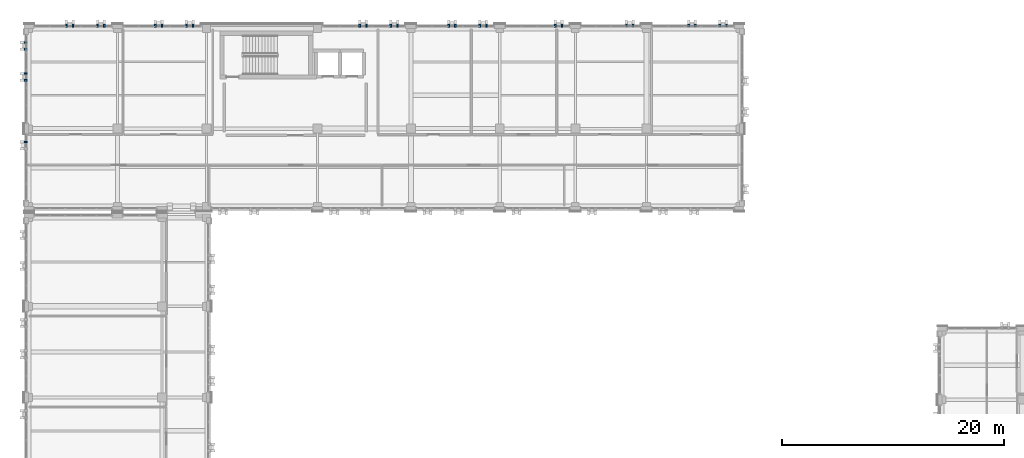
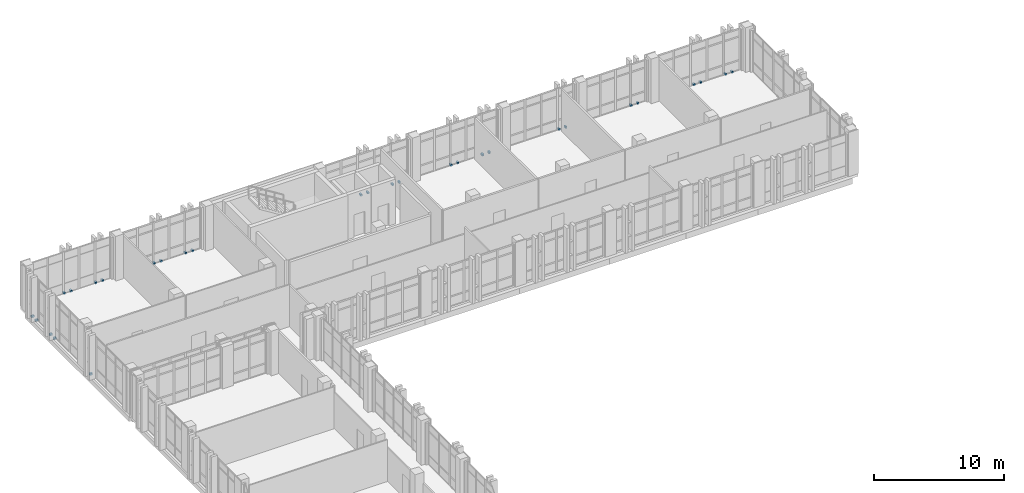
# One storey, part 141 of 158: 29 discrete accessories.
"""IFC4 building model written with IfcOpenShell, lengths in metres."""

from ifc_helpers import new_model, si_unit, direction, frame, origin, origin_2d, place, context, subcontext, project, spatial, rectangle, extrude, material, type_object, element, save


model = new_model("IFC4")

# Units and contexts
model_context = context("Model", 3, precision=1e-05, world=origin(), true_north=direction((0.0, 1.0)))
body_context = subcontext(model_context, "Body", "Model", "MODEL_VIEW")
ifc_project = project(units=[si_unit("LENGTHUNIT", "METRE"), si_unit("AREAUNIT", "SQUARE_METRE"), si_unit("VOLUMEUNIT", "CUBIC_METRE"), si_unit("PLANEANGLEUNIT", "RADIAN"), si_unit("MASSUNIT", "GRAM", prefix="KILO")], contexts=[model_context])

# Site, building, storey
site_placement = place(None, origin())
site = spatial("IfcSite", under=ifc_project, at=site_placement, CompositionType="ELEMENT")
building_placement = place(site_placement, origin())
building = spatial("IfcBuilding", under=site, at=building_placement, Name="Qalavern Law Courts", CompositionType="ELEMENT")
storey_placement = place(building_placement, frame((0.0, 0.0, 18.60009765625)))
storey = spatial("IfcBuildingStorey", under=building, at=storey_placement, Name="L04", CompositionType="ELEMENT", Elevation=18.60009765625)

# Discrete accessories
ifc_material = material(Name="Steel S355", Category="steel")
discrete_accessory_type = type_object("IfcDiscreteAccessoryType", Name="ENV-BRK-FIN", PredefinedType="BRACKET", material=ifc_material)
for number, where, z_axis, x_axis, name in (
    (1, (65.199951171875, 112.860107421875, -0.06982421875), (0.0, 0.0, 1.0), (0.0, 1.0, 0.0), "Stone blade anchor bracket 1091"),
    (2, (64.60009765625, 112.860107421875, -0.06982421875), (0.0, 0.0, 1.0), (0.0, 1.0, 0.0), "Stone blade anchor bracket 1092"),
    (3, (62.39990234375, 112.860107421875, -0.06982421875), (0.0, 0.0, 1.0), (0.0, 1.0, 0.0), "Stone blade anchor bracket 1093"),
    (4, (61.800048828125, 112.860107421875, -0.06982421875), (0.0, 0.0, 1.0), (0.0, 1.0, 0.0), "Stone blade anchor bracket 1094"),
    (5, (56.800048828125, 112.860107421875, -0.06982421875), (0.0, 0.0, 1.0), (0.0, 1.0, 0.0), "Stone blade anchor bracket 1095"),
    (6, (56.199951171875, 112.860107421875, -0.06982421875), (0.0, 0.0, 1.0), (0.0, 1.0, 0.0), "Stone blade anchor bracket 1096"),
    (7, (50.39990234375, 112.860107421875, -0.06982421875), (0.0, 0.0, 1.0), (0.0, 1.0, 0.0), "Stone blade anchor bracket 1097"),
    (8, (49.800048828125, 112.860107421875, -0.06982421875), (0.0, 0.0, 1.0), (0.0, 1.0, 0.0), "Stone blade anchor bracket 1098"),
    (9, (43.60009765625, 112.860107421875, -0.06982421875), (0.0, 0.0, 1.0), (0.0, 1.0, 0.0), "Stone blade anchor bracket 1099"),
    (10, (43.0, 112.860107421875, -0.06982421875), (0.0, 0.0, 1.0), (0.0, 1.0, 0.0), "Stone blade anchor bracket 1100"),
    (11, (40.800048828125, 112.860107421875, -0.06982421875), (0.0, 0.0, 1.0), (0.0, 1.0, 0.0), "Stone blade anchor bracket 1101"),
    (12, (40.199951171875, 112.860107421875, -0.06982421875), (0.0, 0.0, 1.0), (0.0, 1.0, 0.0), "Stone blade anchor bracket 1102"),
    (13, (35.60009765625, 112.860107421875, -0.06982421875), (0.0, 0.0, 1.0), (0.0, 1.0, 0.0), "Stone blade anchor bracket 1103"),
    (14, (35.0, 112.860107421875, -0.06982421875), (0.0, 0.0, 1.0), (0.0, 1.0, 0.0), "Stone blade anchor bracket 1104"),
    (15, (32.800048828125, 112.860107421875, -0.06982421875), (0.0, 0.0, 1.0), (0.0, 1.0, 0.0), "Stone blade anchor bracket 1105"),
    (16, (32.199951171875, 112.860107421875, -0.06982421875), (0.0, 0.0, 1.0), (0.0, 1.0, 0.0), "Stone blade anchor bracket 1106"),
    (17, (17.199951171875, 112.860107421875, -0.06982421875), (0.0, 0.0, 1.0), (0.0, 1.0, 0.0), "Stone blade anchor bracket 1107"),
    (18, (16.60009765625, 112.860107421875, -0.06982421875), (0.0, 0.0, 1.0), (0.0, 1.0, 0.0), "Stone blade anchor bracket 1108"),
    (19, (14.39990234375, 112.860107421875, -0.06982421875), (0.0, 0.0, 1.0), (0.0, 1.0, 0.0), "Stone blade anchor bracket 1109"),
    (20, (13.800048828125, 112.860107421875, -0.06982421875), (0.0, 0.0, 1.0), (0.0, 1.0, 0.0), "Stone blade anchor bracket 1110"),
    (21, (9.199951171875, 112.860107421875, -0.06982421875), (0.0, 0.0, 1.0), (0.0, 1.0, 0.0), "Stone blade anchor bracket 1111"),
    (22, (8.60009765625, 112.860107421875, -0.06982421875), (0.0, 0.0, 1.0), (0.0, 1.0, 0.0), "Stone blade anchor bracket 1112"),
    (23, (6.39990234375, 112.860107421875, -0.06982421875), (0.0, 0.0, 1.0), (0.0, 1.0, 0.0), "Stone blade anchor bracket 1113"),
    (24, (5.800048828125, 112.860107421875, -0.06982421875), (0.0, 0.0, 1.0), (0.0, 1.0, 0.0), "Stone blade anchor bracket 1114"),
    (25, (2.139892578125, 111.35498046875, -0.06982421875), (0.0, 0.0, 1.0), (-1.0, 0.0, 0.0), "Stone blade anchor bracket 1115"),
    (26, (2.139892578125, 110.7548828125, -0.06982421875), (0.0, 0.0, 1.0), (-1.0, 0.0, 0.0), "Stone blade anchor bracket 1116"),
    (27, (2.139892578125, 108.554931640625, -0.06982421875), (0.0, 0.0, 1.0), (-1.0, 0.0, 0.0), "Stone blade anchor bracket 1117"),
    (28, (2.139892578125, 107.955078125, -0.06982421875), (0.0, 0.0, 1.0), (-1.0, 0.0, 0.0), "Stone blade anchor bracket 1118"),
    (29, (2.139892578125, 102.39990234375, -0.06982421875), (0.0, 0.0, 1.0), (-1.0, 0.0, 0.0), "Stone blade anchor bracket 1119"),
):
    element("IfcDiscreteAccessory", number, at=place(storey_placement, frame(where, z_axis=z_axis, x_axis=x_axis)), inside=storey, type_object=discrete_accessory_type, Name=name, PredefinedType="BRACKET", context=body_context, shape_type="SweptSolid", body=[
        extrude(rectangle(XDim=0.239990234375, YDim=0.159912109375, at=origin_2d()), origin(), (0.0, 0.0, 1.0), 0.179931640625),
    ])

save(model, "model.ifc")
